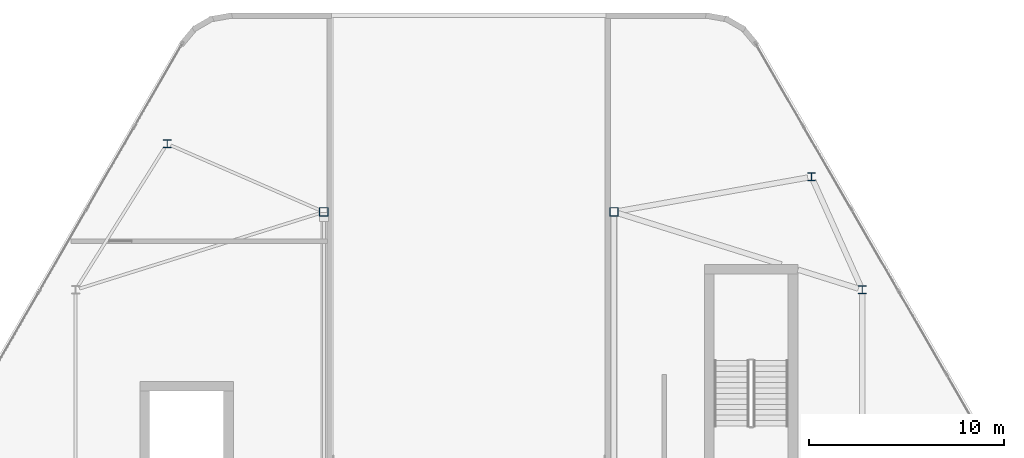
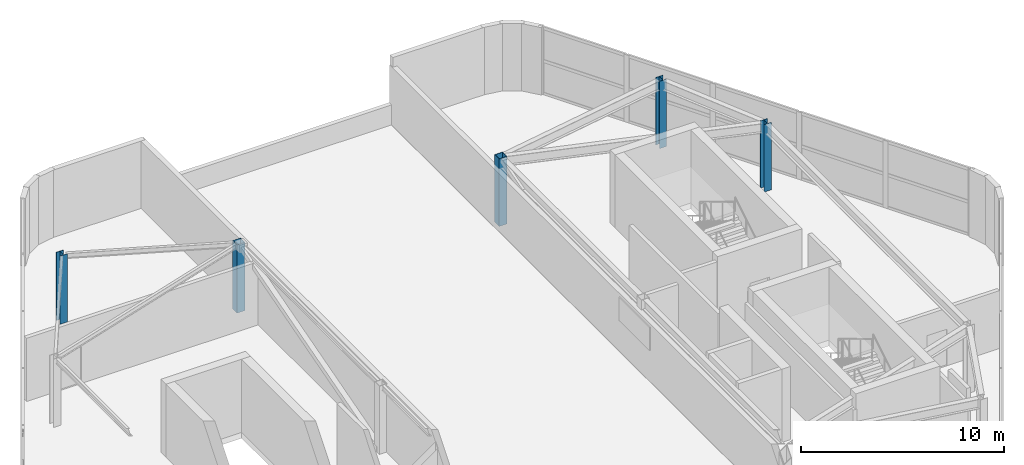
# One storey, part 2 of 14: 5 columns.
"""IFC4 building model written with IfcOpenShell, lengths in metres."""

from ifc_helpers import new_model, si_unit, direction, frame, origin, origin_2d, place, context, subcontext, project, spatial, hollow_rectangle, i_section, extrude, material, material_profile, profile_set, type_object, element, save


model = new_model("IFC4")

# Units and contexts
model_context = context("Model", 3, precision=1e-05, world=origin(), true_north=direction((0.0, 1.0)))
body_context = subcontext(model_context, "Body", "Model", "MODEL_VIEW")
ifc_project = project(units=[si_unit("LENGTHUNIT", "METRE"), si_unit("AREAUNIT", "SQUARE_METRE"), si_unit("VOLUMEUNIT", "CUBIC_METRE"), si_unit("PLANEANGLEUNIT", "RADIAN"), si_unit("MASSUNIT", "GRAM", prefix="KILO")], contexts=[model_context])

# Site, building, storey
site_placement = place(None, origin())
site = spatial("IfcSite", under=ifc_project, at=site_placement, CompositionType="ELEMENT")
building_placement = place(site_placement, origin())
building = spatial("IfcBuilding", under=site, at=building_placement, Name="Zuhravey Tower", CompositionType="ELEMENT")
storey_placement = place(building_placement, frame((0.0, 0.0, 379.0)))
storey = spatial("IfcBuildingStorey", under=building, at=storey_placement, Name="L96", CompositionType="ELEMENT", Elevation=379.0)

# Columns
ifc_material = material(Name="Steel SM355", Category="steel")
ifc_material_profile_1 = material_profile(ifc_material, i_section(OverallWidth=0.39990234375, OverallDepth=0.39990234375, WebThickness=0.012939453125, FlangeThickness=0.02099609375, at=origin_2d()), Name="H-400x400x13x21")
ifc_profile_set_1 = profile_set([ifc_material_profile_1], Name="Steel SM355")
column_type_1 = type_object("IfcColumnType", Name="Crown Crest Column H400x400", PredefinedType="COLUMN", material=ifc_profile_set_1)
column_1_placement = place(storey_placement, frame((20.5, 49.5, 0.0), z_axis=(0.0, 0.0, 1.0), x_axis=(1.0, 0.0, 0.0)))
element("IfcColumn", 1, at=column_1_placement, inside=storey, type_object=column_type_1, Name="L96 West Crest Column WC4", PredefinedType="COLUMN", context=body_context, shape_type="SweptSolid", body=[
    extrude(i_section(OverallWidth=0.39990234375, OverallDepth=0.39990234375, WebThickness=0.012939453125, FlangeThickness=0.02099609375, at=origin_2d()), origin(), (0.0, 0.0, 1.0), 4.10009765625),
])
for number, where, z_axis, x_axis, name in (
    (2, (56.199951171875, 42.0, 0.0), (0.0, 0.0, 1.0), (1.0, 0.0, 0.0), "L96 East Crest Column EC2"),
    (3, (53.60009765625, 47.800048828125, 0.0), (0.0, 0.0, 1.0), (1.0, 0.0, 0.0), "L96 East Crest Column EC4"),
):
    element("IfcColumn", number, at=place(storey_placement, frame(where, z_axis=z_axis, x_axis=x_axis)), inside=storey, type_object=column_type_1, Name=name, PredefinedType="COLUMN", context=body_context, shape_type="SweptSolid", body=[
        extrude(i_section(OverallWidth=0.39990234375, OverallDepth=0.39990234375, WebThickness=0.012939453125, FlangeThickness=0.02099609375, at=origin_2d()), origin(), (0.0, 0.0, 1.0), 4.050048828125),
    ])
ifc_material_profile_2 = material_profile(ifc_material, hollow_rectangle(XDim=0.449951171875, YDim=0.449951171875, WallThickness=0.02197265625, at=origin_2d()), Name="RHS-450x450x22")
ifc_profile_set_2 = profile_set([ifc_material_profile_2], Name="Steel SM355")
column_type_2 = type_object("IfcColumnType", Name="Crown Portal Pilaster RHS450x450", PredefinedType="PILASTER", material=ifc_profile_set_2)
column_2_placement = place(storey_placement, frame((28.550048828125, 46.0, 0.0), z_axis=(0.0, 0.0, 1.0), x_axis=(1.0, 0.0, 0.0)))
element("IfcColumn", 4, at=column_2_placement, inside=storey, type_object=column_type_2, Name="L96 West Crest Column WP3", PredefinedType="PILASTER", context=body_context, shape_type="SweptSolid", body=[
    extrude(hollow_rectangle(XDim=0.449951171875, YDim=0.449951171875, WallThickness=0.02197265625, at=origin_2d()), origin(), (0.0, 0.0, 1.0), 4.10009765625),
])
column_3_placement = place(storey_placement, frame((43.449951171875, 46.0, 0.0), z_axis=(0.0, 0.0, 1.0), x_axis=(1.0, 0.0, 0.0)))
element("IfcColumn", 5, at=column_3_placement, inside=storey, type_object=column_type_2, Name="L96 East Crest Column EP3", PredefinedType="PILASTER", context=body_context, shape_type="SweptSolid", body=[
    extrude(hollow_rectangle(XDim=0.449951171875, YDim=0.449951171875, WallThickness=0.02197265625, at=origin_2d()), origin(), (0.0, 0.0, 1.0), 4.050048828125),
])

save(model, "model.ifc")
